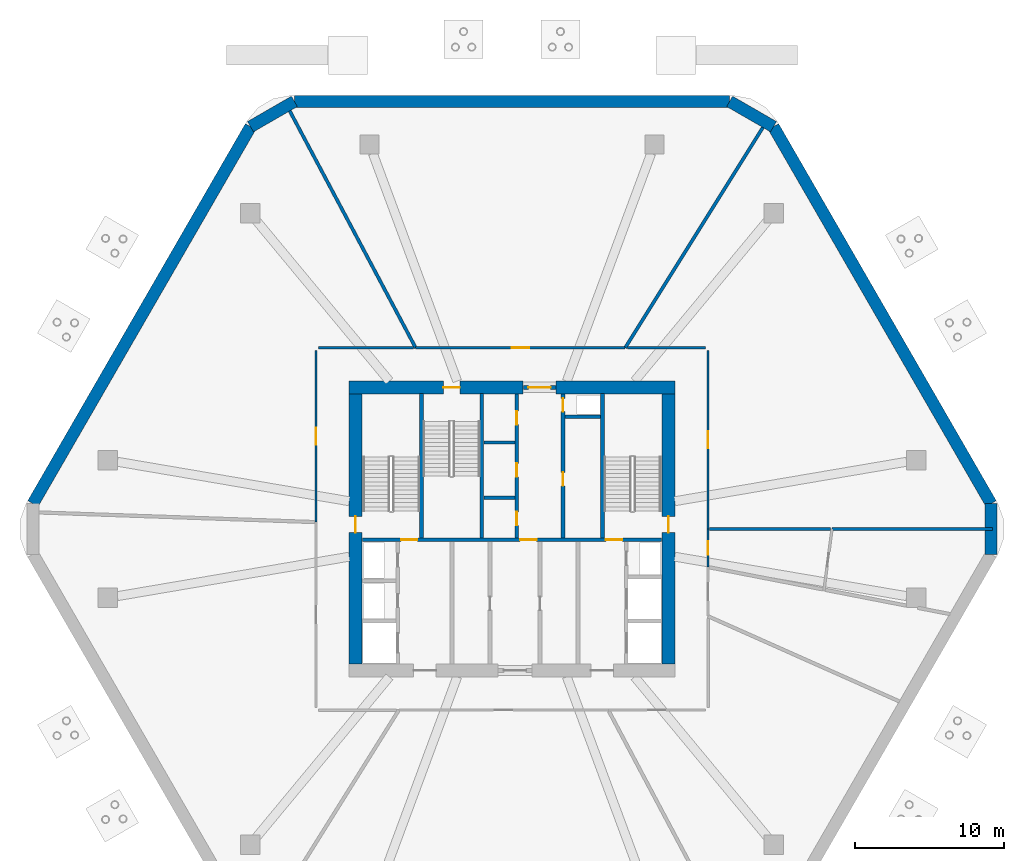
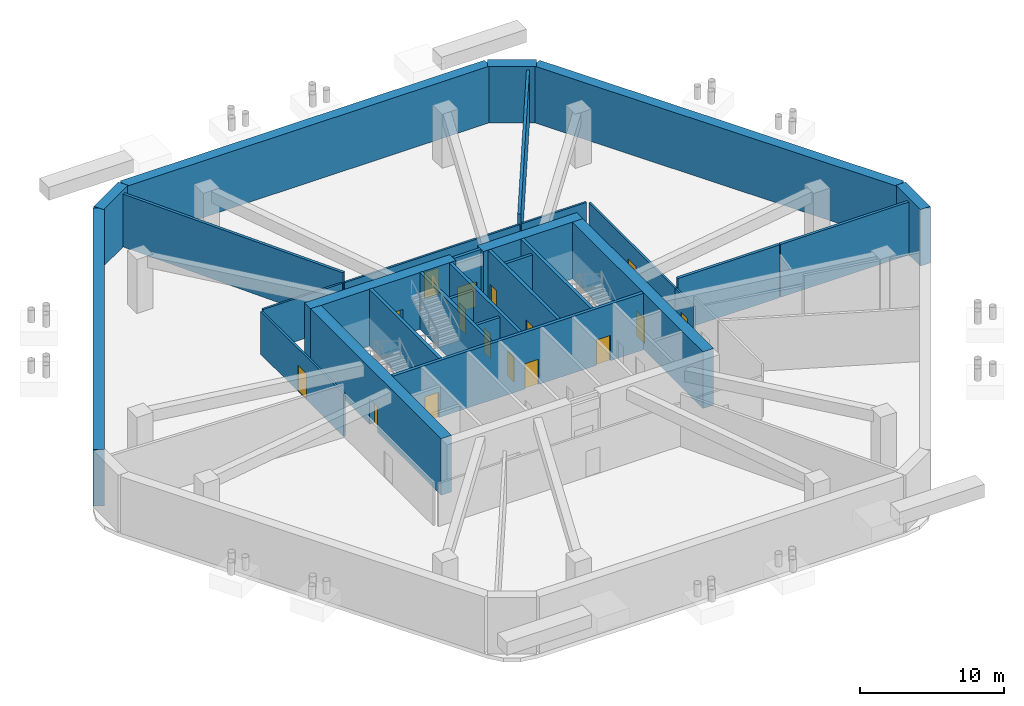
# One storey, part 8 of 10: 30 walls, 16 doors, 16 openings.
"""IFC4 building model written with IfcOpenShell, lengths in metres."""

from ifc_helpers import new_model, si_unit, direction, frame, frame_2d, origin, place, context, subcontext, project, spatial, rectangle, extrude, material, layer, layer_set, type_object, element, fill, save


model = new_model("IFC4")

# Units and contexts
model_context = context("Model", 3, precision=1e-05, world=origin(), true_north=direction((0.0, 1.0)))
body_context = subcontext(model_context, "Body", "Model", "MODEL_VIEW")
ifc_project = project(units=[si_unit("LENGTHUNIT", "METRE"), si_unit("AREAUNIT", "SQUARE_METRE"), si_unit("VOLUMEUNIT", "CUBIC_METRE"), si_unit("PLANEANGLEUNIT", "RADIAN"), si_unit("MASSUNIT", "GRAM", prefix="KILO")], contexts=[model_context])

# Site, building, storey
site_placement = place(None, origin())
site = spatial("IfcSite", under=ifc_project, at=site_placement, CompositionType="ELEMENT")
building_placement = place(site_placement, origin())
building = spatial("IfcBuilding", under=site, at=building_placement, Name="Zuhravey Tower", CompositionType="ELEMENT")
storey_placement = place(building_placement, frame((0.0, 0.0, -4.800048828125)))
storey = spatial("IfcBuildingStorey", under=building, at=storey_placement, Name="B01", CompositionType="ELEMENT", Elevation=-4.800048828125)

# Walls
ifc_material_1 = material(Name="Concrete C50/60", Category="concrete")
ifc_layer_1 = layer(ifc_material_1, 0.800048828125)
ifc_layer_set_1 = layer_set([ifc_layer_1], Name="Concrete C50/60")
wall_type_1 = type_object("IfcWallType", Name="Basement Retaining Wall 800", PredefinedType="USERDEFINED", material=ifc_layer_set_1)
wall_1_placement = place(storey_placement, frame((68.156494140625, 30.300048828125, 0.0), z_axis=(0.0, 0.0, 1.0), x_axis=(0.0, 1.0, 0.0)))
element("IfcWall", 1, at=wall_1_placement, inside=storey, type_object=wall_type_1, Name="B01 Retaining Wall RW80-01", ObjectType="RETAININGWALL", PredefinedType="USERDEFINED", context=body_context, shape_type="SweptSolid", body=[
    extrude(rectangle(XDim=3.39990234375, YDim=0.800048828125, at=frame_2d((1.699951171875, 0.0))), origin(), (0.0, 0.0, 1.0), 4.800048828125),
])
wall_2_placement = place(storey_placement, frame((68.156494140625, 33.699951171875, 0.0), z_axis=(0.0, 0.0, 1.0), x_axis=(-0.499995192696, 0.866028179265, 0.0)))
element("IfcWall", 2, at=wall_2_placement, inside=storey, type_object=wall_type_1, Name="B01 Retaining Wall RW80-02", ObjectType="RETAININGWALL", PredefinedType="USERDEFINED", context=body_context, shape_type="SweptSolid", body=[
    extrude(rectangle(XDim=29.212158203125, YDim=0.800048828125, at=frame_2d((14.60595703125, 0.0))), origin(), (0.0, 0.0, 1.0), 4.800048828125),
])
wall_3_placement = place(storey_placement, frame((53.550537109375, 58.99853515625, 0.0), z_axis=(0.0, 0.0, 1.0), x_axis=(-0.866020560687, 0.500008388397, 0.0)))
element("IfcWall", 3, at=wall_3_placement, inside=storey, type_object=wall_type_1, Name="B01 Retaining Wall RW80-03", ObjectType="RETAININGWALL", PredefinedType="USERDEFINED", context=body_context, shape_type="SweptSolid", body=[
    extrude(rectangle(XDim=3.39990234375, YDim=0.800048828125, at=frame_2d((1.699951171875, 0.0))), origin(), (0.0, 0.0, 1.0), 4.800048828125),
])
wall_4_placement = place(storey_placement, frame((50.606201171875, 60.698486328125, 0.0), z_axis=(0.0, 0.0, 1.0), x_axis=(-1.0, 0.0, 0.0)))
element("IfcWall", 4, at=wall_4_placement, inside=storey, type_object=wall_type_1, Name="B01 Retaining Wall RW80-04", ObjectType="RETAININGWALL", PredefinedType="USERDEFINED", context=body_context, shape_type="SweptSolid", body=[
    extrude(rectangle(XDim=29.21240234375, YDim=0.800048828125, at=frame_2d((14.606201171875, 0.0))), origin(), (0.0, 0.0, 1.0), 4.800048828125),
])
wall_5_placement = place(storey_placement, frame((21.393798828125, 60.698486328125, 0.0), z_axis=(0.0, 0.0, 1.0), x_axis=(-0.866020560687, -0.500008388397, 0.0)))
element("IfcWall", 5, at=wall_5_placement, inside=storey, type_object=wall_type_1, Name="B01 Retaining Wall RW80-05", ObjectType="RETAININGWALL", PredefinedType="USERDEFINED", context=body_context, shape_type="SweptSolid", body=[
    extrude(rectangle(XDim=3.39990234375, YDim=0.800048828125, at=frame_2d((1.699951171875, 0.0))), origin(), (0.0, 0.0, 1.0), 4.800048828125),
])
wall_6_placement = place(storey_placement, frame((18.449462890625, 58.99853515625, 0.0), z_axis=(0.0, 0.0, 1.0), x_axis=(-0.499995192696, -0.866028179265, 0.0)))
element("IfcWall", 6, at=wall_6_placement, inside=storey, type_object=wall_type_1, Name="B01 Retaining Wall RW80-06", ObjectType="RETAININGWALL", PredefinedType="USERDEFINED", context=body_context, shape_type="SweptSolid", body=[
    extrude(rectangle(XDim=29.212158203125, YDim=0.800048828125, at=frame_2d((14.60595703125, 0.0))), origin(), (0.0, 0.0, 1.0), 4.800048828125),
])
ifc_material_2 = material(Name="Concrete C60/75", Category="concrete")
ifc_layer_2 = layer(ifc_material_2, 0.85009765625)
ifc_layer_set_2 = layer_set([ifc_layer_2], Name="Concrete C60/75")
wall_type_2 = type_object("IfcWallType", Name="Core Shear Wall 850", PredefinedType="SHEAR", material=ifc_layer_set_2)
wall_7_placement = place(storey_placement, frame((46.925048828125, 41.5, 0.0), z_axis=(0.0, 0.0, 1.0), x_axis=(-1.0, 0.0, 0.0)))
element("IfcWall", 7, at=wall_7_placement, inside=storey, type_object=wall_type_2, Name="B01 North-East Core Shear Wall CW85", PredefinedType="SHEAR", context=body_context, shape_type="SweptSolid", body=[
    extrude(rectangle(XDim=7.97509765625, YDim=0.85009765625, at=frame_2d((3.987548828125, 0.0))), origin(), (0.0, 0.0, 1.0), 4.800048828125),
])

# Wall, opening, door
wall_8_placement = place(storey_placement, frame((36.75, 41.5, 0.0), z_axis=(0.0, 0.0, 1.0), x_axis=(-1.0, 0.0, 0.0)))
wall_8 = element("IfcWall", 8, at=wall_8_placement, inside=storey, type_object=wall_type_2, Name="B01 North-West Core Shear Wall CW85", PredefinedType="SHEAR", context=body_context, shape_type="SweptSolid", body=[
    extrude(rectangle(XDim=11.675048828125, YDim=0.85009765625, at=frame_2d((5.83740234375, 0.0))), origin(), (0.0, 0.0, 1.0), 4.800048828125),
])
opening_1_placement = place(wall_8_placement, frame((4.25, 0.0, 0.0)))
opening_1 = element("IfcOpeningElement", 9, at=opening_1_placement, cuts=wall_8, Name="Opening STD1", PredefinedType="OPENING", context=body_context, shape_type="SweptSolid", body=[
    extrude(rectangle(XDim=1.10009765625, YDim=2.14990234375, at=frame_2d((0.550048828125, 1.074951171875))), frame((0.0, 0.43701171875, 0.0), z_axis=(0.0, -1.0, 0.0), x_axis=(1.0, 0.0, 0.0)), (0.0, 0.0, 1.0), 0.8740234375),
])
ifc_material_3 = material(Name="Galvanised fire-rated steel leaf", Category="steel")
door_type_1 = type_object("IfcDoorType", Name="Protected Stair Fire Door 1100x2150", OperationType="NOTDEFINED", PredefinedType="USERDEFINED", material=ifc_material_3)
door_1_placement = place(opening_1_placement, origin())
door_1 = element("IfcDoor", 10, at=door_1_placement, inside=storey, type_object=door_type_1, Name="B01 Stair ST3 Door", ObjectType="EXITDOOR", OperationType="SINGLE_SWING_LEFT", OverallHeight=2.14990234375, OverallWidth=1.10009765625, PredefinedType="USERDEFINED", context=body_context, shape_type="SweptSolid", body=[
    extrude(rectangle(XDim=1.10009765625, YDim=2.14990234375, at=frame_2d((0.550048828125, 1.074951171875))), frame((0.0, 0.02490234375, 0.0), z_axis=(0.0, -1.0, 0.0), x_axis=(1.0, 0.0, 0.0)), (0.0, 0.0, 1.0), 0.050048828125),
])
fill(opening_1, door_1)

wall_9_placement = place(storey_placement, frame((25.5, 22.925048828125, 0.0), z_axis=(0.0, 0.0, 1.0), x_axis=(0.0, 1.0, 0.0)))
wall_9 = element("IfcWall", 11, at=wall_9_placement, inside=storey, type_object=wall_type_2, Name="B01 West Core Shear Wall CW85", PredefinedType="SHEAR", context=body_context, shape_type="SweptSolid", body=[
    extrude(rectangle(XDim=18.14990234375, YDim=0.85009765625, at=frame_2d((9.074951171875, 0.0))), origin(), (0.0, 0.0, 1.0), 4.800048828125),
])
opening_2_placement = place(wall_9_placement, frame((8.824951171875, 0.0, 0.0)))
opening_2 = element("IfcOpeningElement", 12, at=opening_2_placement, cuts=wall_9, Name="Opening STD1", PredefinedType="OPENING", context=body_context, shape_type="SweptSolid", body=[
    extrude(rectangle(XDim=1.10009765625, YDim=2.14990234375, at=frame_2d((0.550048828125, 1.074951171875))), frame((0.0, 0.43701171875, 0.0), z_axis=(0.0, -1.0, 0.0), x_axis=(1.0, 0.0, 0.0)), (0.0, 0.0, 1.0), 0.8740234375),
])
door_2_placement = place(opening_2_placement, frame((1.10009765625, 0.0, 0.0), z_axis=(0.0, 0.0, 1.0), x_axis=(-1.0, 0.0, 0.0)))
door_2 = element("IfcDoor", 13, at=door_2_placement, inside=storey, type_object=door_type_1, Name="B01 Stair ST1 Door", ObjectType="EXITDOOR", OperationType="SINGLE_SWING_LEFT", OverallHeight=2.14990234375, OverallWidth=1.10009765625, PredefinedType="USERDEFINED", context=body_context, shape_type="SweptSolid", body=[
    extrude(rectangle(XDim=1.10009765625, YDim=2.14990234375, at=frame_2d((0.550048828125, 1.074951171875))), frame((0.0, 0.02490234375, 0.0), z_axis=(0.0, -1.0, 0.0), x_axis=(1.0, 0.0, 0.0)), (0.0, 0.0, 1.0), 0.050048828125),
])
fill(opening_2, door_2)

wall_10_placement = place(storey_placement, frame((46.5, 22.925048828125, 0.0), z_axis=(0.0, 0.0, 1.0), x_axis=(0.0, 1.0, 0.0)))
wall_10 = element("IfcWall", 14, at=wall_10_placement, inside=storey, type_object=wall_type_2, Name="B01 East Core Shear Wall CW85", PredefinedType="SHEAR", context=body_context, shape_type="SweptSolid", body=[
    extrude(rectangle(XDim=18.14990234375, YDim=0.85009765625, at=frame_2d((9.074951171875, 0.0))), origin(), (0.0, 0.0, 1.0), 4.800048828125),
])
opening_3_placement = place(wall_10_placement, frame((8.824951171875, 0.0, 0.0)))
opening_3 = element("IfcOpeningElement", 15, at=opening_3_placement, cuts=wall_10, Name="Opening STD1", PredefinedType="OPENING", context=body_context, shape_type="SweptSolid", body=[
    extrude(rectangle(XDim=1.10009765625, YDim=2.14990234375, at=frame_2d((0.550048828125, 1.074951171875))), frame((0.0, 0.43701171875, 0.0), z_axis=(0.0, -1.0, 0.0), x_axis=(1.0, 0.0, 0.0)), (0.0, 0.0, 1.0), 0.8740234375),
])
door_3_placement = place(opening_3_placement, origin())
door_3 = element("IfcDoor", 16, at=door_3_placement, inside=storey, type_object=door_type_1, Name="B01 Stair ST2 Door", ObjectType="EXITDOOR", OperationType="SINGLE_SWING_RIGHT", OverallHeight=2.14990234375, OverallWidth=1.10009765625, PredefinedType="USERDEFINED", context=body_context, shape_type="SweptSolid", body=[
    extrude(rectangle(XDim=1.10009765625, YDim=2.14990234375, at=frame_2d((0.550048828125, 1.074951171875))), frame((0.0, 0.02490234375, 0.0), z_axis=(0.0, -1.0, 0.0), x_axis=(1.0, 0.0, 0.0)), (0.0, 0.0, 1.0), 0.050048828125),
])
fill(opening_3, door_3)

ifc_material_4 = material(Name="Gypsum fire-rated stud partition")
ifc_layer_3 = layer(ifc_material_4, 0.159912109375)
ifc_layer_set_3 = layer_set([ifc_layer_3], Name="Gypsum fire-rated stud partition")
wall_type_3 = type_object("IfcWallType", Name="Corridor Fire Partition 160", PredefinedType="PARTITIONING", material=ifc_layer_set_3)
wall_11_placement = place(storey_placement, frame((49.155029296875, 32.0, 0.0), z_axis=(0.0, 0.0, 1.0), x_axis=(0.0, 1.0, 0.0)))
wall_11 = element("IfcWall", 17, at=wall_11_placement, inside=storey, type_object=wall_type_3, Name="B01 IW16 Partition 019", PredefinedType="PARTITIONING", context=body_context, shape_type="SweptSolid", body=[
    extrude(rectangle(XDim=11.97509765625, YDim=0.159912109375, at=frame_2d((5.987548828125, 0.0))), origin(), (0.0, 0.0, 1.0), 3.630126953125),
])
opening_4_placement = place(wall_11_placement, frame((5.41259765625, 0.0, 0.0)))
opening_4 = element("IfcOpeningElement", 18, at=opening_4_placement, cuts=wall_11, Name="Opening CLD1", PredefinedType="OPENING", context=body_context, shape_type="SweptSolid", body=[
    extrude(rectangle(XDim=1.14990234375, YDim=2.199951171875, at=frame_2d((0.574951171875, 1.10009765625))), frame((0.0, 0.092041015625, 0.0), z_axis=(0.0, -1.0, 0.0), x_axis=(1.0, 0.0, 0.0)), (0.0, 0.0, 1.0), 0.183837890625),
])
ifc_material_5 = material(Name="Acoustic timber leaf with vision lite", Category="wood")
door_type_2 = type_object("IfcDoorType", Name="Classroom Acoustic Door 1150x2200", OperationType="NOTDEFINED", PredefinedType="DOOR", material=ifc_material_5)
door_4_placement = place(opening_4_placement, frame((1.14990234375, 0.0, 0.0), z_axis=(0.0, 0.0, 1.0), x_axis=(-1.0, 0.0, 0.0)))
door_4 = element("IfcDoor", 19, at=door_4_placement, inside=storey, type_object=door_type_2, Name="B01 Door 019.1", OperationType="SINGLE_SWING_LEFT", OverallHeight=2.199951171875, OverallWidth=1.14990234375, PredefinedType="DOOR", context=body_context, shape_type="SweptSolid", body=[
    extrude(rectangle(XDim=1.14990234375, YDim=2.199951171875, at=frame_2d((0.574951171875, 1.10009765625))), frame((0.0, 0.02490234375, 0.0), z_axis=(0.0, -1.0, 0.0), x_axis=(1.0, 0.0, 0.0)), (0.0, 0.0, 1.0), 0.050048828125),
])
fill(opening_4, door_4)

wall_12_placement = place(storey_placement, frame((43.59521484375, 44.155029296875, 0.0), z_axis=(0.0, 0.0, 1.0), x_axis=(-1.0, 0.0, 0.0)))
wall_12 = element("IfcWall", 20, at=wall_12_placement, inside=storey, type_object=wall_type_3, Name="B01 IW16 Partition 020", PredefinedType="PARTITIONING", context=body_context, shape_type="SweptSolid", body=[
    extrude(rectangle(XDim=14.05810546875, YDim=0.159912109375, at=frame_2d((7.029052734375, 0.0))), origin(), (0.0, 0.0, 1.0), 3.630126953125),
])
opening_5_placement = place(wall_12_placement, frame((6.4541015625, 0.0, 0.0)))
opening_5 = element("IfcOpeningElement", 21, at=opening_5_placement, cuts=wall_12, Name="Opening CLD1", PredefinedType="OPENING", context=body_context, shape_type="SweptSolid", body=[
    extrude(rectangle(XDim=1.14990234375, YDim=2.199951171875, at=frame_2d((0.574951171875, 1.10009765625))), frame((0.0, 0.092041015625, 0.0), z_axis=(0.0, -1.0, 0.0), x_axis=(1.0, 0.0, 0.0)), (0.0, 0.0, 1.0), 0.183837890625),
])
door_5_placement = place(opening_5_placement, frame((1.14990234375, 0.0, 0.0), z_axis=(0.0, 0.0, 1.0), x_axis=(-1.0, 0.0, 0.0)))
door_5 = element("IfcDoor", 22, at=door_5_placement, inside=storey, type_object=door_type_2, Name="B01 Door 020.1", OperationType="SINGLE_SWING_RIGHT", OverallHeight=2.199951171875, OverallWidth=1.14990234375, PredefinedType="DOOR", context=body_context, shape_type="SweptSolid", body=[
    extrude(rectangle(XDim=1.14990234375, YDim=2.199951171875, at=frame_2d((0.574951171875, 1.10009765625))), frame((0.0, 0.02490234375, 0.0), z_axis=(0.0, -1.0, 0.0), x_axis=(1.0, 0.0, 0.0)), (0.0, 0.0, 1.0), 0.050048828125),
])
fill(opening_5, door_5)

wall_13_placement = place(storey_placement, frame((22.844970703125, 43.97509765625, 0.0), z_axis=(0.0, 0.0, 1.0), x_axis=(0.0, -1.0, 0.0)))
wall_13 = element("IfcWall", 23, at=wall_13_placement, inside=storey, type_object=wall_type_3, Name="B01 IW16 Partition 021", PredefinedType="PARTITIONING", context=body_context, shape_type="SweptSolid", body=[
    extrude(rectangle(XDim=11.515625, YDim=0.159912109375, at=frame_2d((5.7578125, 0.0))), origin(), (0.0, 0.0, 1.0), 3.630126953125),
])
opening_6_placement = place(wall_13_placement, frame((5.182861328125, 0.0, 0.0)))
opening_6 = element("IfcOpeningElement", 24, at=opening_6_placement, cuts=wall_13, Name="Opening CLD1", PredefinedType="OPENING", context=body_context, shape_type="SweptSolid", body=[
    extrude(rectangle(XDim=1.14990234375, YDim=2.199951171875, at=frame_2d((0.574951171875, 1.10009765625))), frame((0.0, 0.092041015625, 0.0), z_axis=(0.0, -1.0, 0.0), x_axis=(1.0, 0.0, 0.0)), (0.0, 0.0, 1.0), 0.183837890625),
])
door_6_placement = place(opening_6_placement, frame((1.14990234375, 0.0, 0.0), z_axis=(0.0, 0.0, 1.0), x_axis=(-1.0, 0.0, 0.0)))
door_6 = element("IfcDoor", 25, at=door_6_placement, inside=storey, type_object=door_type_2, Name="B01 Door 021.1", OperationType="SINGLE_SWING_LEFT", OverallHeight=2.199951171875, OverallWidth=1.14990234375, PredefinedType="DOOR", context=body_context, shape_type="SweptSolid", body=[
    extrude(rectangle(XDim=1.14990234375, YDim=2.199951171875, at=frame_2d((0.574951171875, 1.10009765625))), frame((0.0, 0.02490234375, 0.0), z_axis=(0.0, -1.0, 0.0), x_axis=(1.0, 0.0, 0.0)), (0.0, 0.0, 1.0), 0.050048828125),
])
fill(opening_6, door_6)

wall_14_placement = place(storey_placement, frame((49.155029296875, 29.44287109375, 0.0), z_axis=(0.0, 0.0, 1.0), x_axis=(0.0, 1.0, 0.0)))
wall_14 = element("IfcWall", 26, at=wall_14_placement, inside=storey, type_object=wall_type_3, Name="B01 IW16 Partition 027", PredefinedType="PARTITIONING", context=body_context, shape_type="SweptSolid", body=[
    extrude(rectangle(XDim=2.55712890625, YDim=0.159912109375, at=frame_2d((1.278564453125, 0.0))), origin(), (0.0, 0.0, 1.0), 3.630126953125),
])
opening_7_placement = place(wall_14_placement, frame((0.82861328125, 0.0, 0.0)))
opening_7 = element("IfcOpeningElement", 27, at=opening_7_placement, cuts=wall_14, Name="Opening RSD1", PredefinedType="OPENING", context=body_context, shape_type="SweptSolid", body=[
    extrude(rectangle(XDim=0.89990234375, YDim=2.10009765625, at=frame_2d((0.449951171875, 1.050048828125))), frame((0.0, 0.092041015625, 0.0), z_axis=(0.0, -1.0, 0.0), x_axis=(1.0, 0.0, 0.0)), (0.0, 0.0, 1.0), 0.183837890625),
])
ifc_material_6 = material(Name="Galvanised fire-rated steel access leaf", Category="steel")
door_type_3 = type_object("IfcDoorType", Name="Riser & Shaft Access Fire Door 900x2100", OperationType="NOTDEFINED", PredefinedType="DOOR", material=ifc_material_6)
door_7_placement = place(opening_7_placement, frame((0.89990234375, 0.0, 0.0), z_axis=(0.0, 0.0, 1.0), x_axis=(-1.0, 0.0, 0.0)))
door_7 = element("IfcDoor", 28, at=door_7_placement, inside=storey, type_object=door_type_3, Name="B01 Door 027.1", OperationType="SINGLE_SWING_LEFT", OverallHeight=2.10009765625, OverallWidth=0.89990234375, PredefinedType="DOOR", context=body_context, shape_type="SweptSolid", body=[
    extrude(rectangle(XDim=0.89990234375, YDim=2.10009765625, at=frame_2d((0.449951171875, 1.050048828125))), frame((0.0, 0.02490234375, 0.0), z_axis=(0.0, -1.0, 0.0), x_axis=(1.0, 0.0, 0.0)), (0.0, 0.0, 1.0), 0.050048828125),
])
fill(opening_7, door_7)

# Walls
wall_15_placement = place(storey_placement, frame((48.97509765625, 44.175048828125, 0.0), z_axis=(0.0, 0.0, 1.0), x_axis=(-1.0, 0.0, 0.0)))
element("IfcWall", 29, at=wall_15_placement, inside=storey, type_object=wall_type_3, Name="B01 IW16 Partition 042", PredefinedType="PARTITIONING", context=body_context, shape_type="SweptSolid", body=[
    extrude(rectangle(XDim=5.228271484375, YDim=0.159912109375, at=frame_2d((2.6142578125, 0.0))), origin(), (0.0, 0.0, 1.0), 3.630126953125),
])
wall_16_placement = place(storey_placement, frame((29.392822265625, 44.175048828125, 0.0), z_axis=(0.0, 0.0, 1.0), x_axis=(-1.0, 0.0, 0.0)))
element("IfcWall", 30, at=wall_16_placement, inside=storey, type_object=wall_type_3, Name="B01 IW16 Partition 043", PredefinedType="PARTITIONING", context=body_context, shape_type="SweptSolid", body=[
    extrude(rectangle(XDim=6.367919921875, YDim=0.159912109375, at=frame_2d((3.18408203125, 0.0))), origin(), (0.0, 0.0, 1.0), 3.630126953125),
])

# Wall, opening, door
ifc_layer_4 = layer(ifc_material_1, 0.25)
ifc_layer_set_4 = layer_set([ifc_layer_4], Name="Concrete C50/60")
wall_type_4 = type_object("IfcWallType", Name="Firefighting Shaft & Stair Wall 250", PredefinedType="SOLIDWALL", material=ifc_layer_set_4)
wall_17_placement = place(storey_placement, frame((36.760009765625, 41.5, 0.0), z_axis=(0.0, 0.0, 1.0), x_axis=(1.0, 0.0, 0.0)))
wall_17 = element("IfcWall", 31, at=wall_17_placement, inside=storey, type_object=wall_type_4, Name="B01 FW25 Shaft Wall 002", PredefinedType="SOLIDWALL", context=body_context, shape_type="SweptSolid", body=[
    extrude(rectangle(XDim=2.179931640625, YDim=0.25, at=frame_2d((1.08984375, 0.0))), origin(), (0.0, 0.0, 1.0), 4.800048828125),
])
opening_8_placement = place(wall_17_placement, frame((0.340087890625, 0.0, 0.0)))
opening_8 = element("IfcOpeningElement", 32, at=opening_8_placement, cuts=wall_17, Name="Opening FFD1", PredefinedType="OPENING", context=body_context, shape_type="SweptSolid", body=[
    extrude(rectangle(XDim=1.5, YDim=2.14990234375, at=frame_2d((0.75, 1.074951171875))), frame((0.0, 0.136962890625, 0.0), z_axis=(0.0, -1.0, 0.0), x_axis=(1.0, 0.0, 0.0)), (0.0, 0.0, 1.0), 0.27392578125),
])
door_type_4 = type_object("IfcDoorType", Name="Firefighting Lobby Double Door 1500x2150", OperationType="DOUBLE_DOOR_SINGLE_SWING", PredefinedType="DOOR", material=ifc_material_3)
door_8_placement = place(opening_8_placement, origin())
door_8 = element("IfcDoor", 33, at=door_8_placement, inside=storey, type_object=door_type_4, Name="B01 North Lift Lobby Exit Door", OperationType="DOUBLE_DOOR_SINGLE_SWING", OverallHeight=2.14990234375, OverallWidth=1.5, PredefinedType="DOOR", context=body_context, shape_type="SweptSolid", body=[
    extrude(rectangle(XDim=1.5, YDim=2.14990234375, at=frame_2d((0.75, 1.074951171875))), frame((0.0, 0.02490234375, 0.0), z_axis=(0.0, -1.0, 0.0), x_axis=(1.0, 0.0, 0.0)), (0.0, 0.0, 1.0), 0.050048828125),
])
fill(opening_8, door_8)

# Wall, openings, doors
wall_18_placement = place(storey_placement, frame((25.949951171875, 31.27490234375, 0.0), z_axis=(0.0, 0.0, 1.0), x_axis=(1.0, 0.0, 0.0)))
wall_18 = element("IfcWall", 34, at=wall_18_placement, inside=storey, type_object=wall_type_4, Name="B01 FW25 Shaft Wall 003", PredefinedType="SOLIDWALL", context=body_context, shape_type="SweptSolid", body=[
    extrude(rectangle(XDim=20.10009765625, YDim=0.25, at=frame_2d((10.050048828125, 0.0))), origin(), (0.0, 0.0, 1.0), 4.800048828125),
])
opening_9_placement = place(wall_18_placement, frame((2.60009765625, 0.0, 0.0)))
opening_9 = element("IfcOpeningElement", 35, at=opening_9_placement, cuts=wall_18, Name="Opening STD1", PredefinedType="OPENING", context=body_context, shape_type="SweptSolid", body=[
    extrude(rectangle(XDim=1.10009765625, YDim=2.14990234375, at=frame_2d((0.550048828125, 1.074951171875))), frame((0.0, 0.136962890625, 0.0), z_axis=(0.0, -1.0, 0.0), x_axis=(1.0, 0.0, 0.0)), (0.0, 0.0, 1.0), 0.27392578125),
])
opening_10_placement = place(wall_18_placement, frame((10.60009765625, 0.0, 0.0)))
opening_10 = element("IfcOpeningElement", 36, at=opening_10_placement, cuts=wall_18, Name="Opening STD1", PredefinedType="OPENING", context=body_context, shape_type="SweptSolid", body=[
    extrude(rectangle(XDim=1.10009765625, YDim=2.14990234375, at=frame_2d((0.550048828125, 1.074951171875))), frame((0.0, 0.136962890625, 0.0), z_axis=(0.0, -1.0, 0.0), x_axis=(1.0, 0.0, 0.0)), (0.0, 0.0, 1.0), 0.27392578125),
])
opening_11_placement = place(wall_18_placement, frame((16.35009765625, 0.0, 0.0)))
opening_11 = element("IfcOpeningElement", 37, at=opening_11_placement, cuts=wall_18, Name="Opening STD1", PredefinedType="OPENING", context=body_context, shape_type="SweptSolid", body=[
    extrude(rectangle(XDim=1.10009765625, YDim=2.14990234375, at=frame_2d((0.550048828125, 1.074951171875))), frame((0.0, 0.136962890625, 0.0), z_axis=(0.0, -1.0, 0.0), x_axis=(1.0, 0.0, 0.0)), (0.0, 0.0, 1.0), 0.27392578125),
])
door_9_placement = place(opening_9_placement, origin())
door_9 = element("IfcDoor", 38, at=door_9_placement, inside=storey, type_object=door_type_1, Name="B01 FFL-W to ST1 Door", ObjectType="EXITDOOR", OperationType="SINGLE_SWING_RIGHT", OverallHeight=2.14990234375, OverallWidth=1.10009765625, PredefinedType="USERDEFINED", context=body_context, shape_type="SweptSolid", body=[
    extrude(rectangle(XDim=1.10009765625, YDim=2.14990234375, at=frame_2d((0.550048828125, 1.074951171875))), frame((0.0, 0.02490234375, 0.0), z_axis=(0.0, -1.0, 0.0), x_axis=(1.0, 0.0, 0.0)), (0.0, 0.0, 1.0), 0.050048828125),
])
fill(opening_9, door_9)
door_10_placement = place(opening_10_placement, origin())
door_10 = element("IfcDoor", 39, at=door_10_placement, inside=storey, type_object=door_type_1, Name="B01 Core Lobby Link Door", ObjectType="EXITDOOR", OperationType="SINGLE_SWING_LEFT", OverallHeight=2.14990234375, OverallWidth=1.10009765625, PredefinedType="USERDEFINED", context=body_context, shape_type="SweptSolid", body=[
    extrude(rectangle(XDim=1.10009765625, YDim=2.14990234375, at=frame_2d((0.550048828125, 1.074951171875))), frame((0.0, 0.02490234375, 0.0), z_axis=(0.0, -1.0, 0.0), x_axis=(1.0, 0.0, 0.0)), (0.0, 0.0, 1.0), 0.050048828125),
])
fill(opening_10, door_10)
door_11_placement = place(opening_11_placement, origin())
door_11 = element("IfcDoor", 40, at=door_11_placement, inside=storey, type_object=door_type_1, Name="B01 FFL-E to ST2 Door", ObjectType="EXITDOOR", OperationType="SINGLE_SWING_RIGHT", OverallHeight=2.14990234375, OverallWidth=1.10009765625, PredefinedType="USERDEFINED", context=body_context, shape_type="SweptSolid", body=[
    extrude(rectangle(XDim=1.10009765625, YDim=2.14990234375, at=frame_2d((0.550048828125, 1.074951171875))), frame((0.0, 0.02490234375, 0.0), z_axis=(0.0, -1.0, 0.0), x_axis=(1.0, 0.0, 0.0)), (0.0, 0.0, 1.0), 0.050048828125),
])
fill(opening_11, door_11)

# Walls
for number, where, z_axis, x_axis, name in (
    (41, (29.925048828125, 31.39990234375, 0.0), (0.0, 0.0, 1.0), (0.0, 1.0, 0.0), "B01 FW25 Shaft Wall 004"),
    (42, (33.97509765625, 31.39990234375, 0.0), (0.0, 0.0, 1.0), (0.0, 1.0, 0.0), "B01 FW25 Shaft Wall 005"),
    (43, (42.074951171875, 31.39990234375, 0.0), (0.0, 0.0, 1.0), (0.0, 1.0, 0.0), "B01 FW25 Shaft Wall 006"),
):
    element("IfcWall", number, at=place(storey_placement, frame(where, z_axis=z_axis, x_axis=x_axis)), inside=storey, type_object=wall_type_4, Name=name, PredefinedType="SOLIDWALL", context=body_context, shape_type="SweptSolid", body=[
        extrude(rectangle(XDim=9.7001953125, YDim=0.25, at=frame_2d((4.85009765625, 0.0))), origin(), (0.0, 0.0, 1.0), 4.800048828125),
    ])

# Wall, openings, doors
wall_19_placement = place(storey_placement, frame((36.324951171875, 31.39990234375, 0.0), z_axis=(0.0, 0.0, 1.0), x_axis=(0.0, 1.0, 0.0)))
wall_19 = element("IfcWall", 44, at=wall_19_placement, inside=storey, type_object=wall_type_4, Name="B01 FW25 Shaft Wall 007", PredefinedType="SOLIDWALL", context=body_context, shape_type="SweptSolid", body=[
    extrude(rectangle(XDim=9.650146484375, YDim=0.25, at=frame_2d((4.8251953125, 0.0))), origin(), (0.0, 0.0, 1.0), 4.800048828125),
])
opening_12_placement = place(wall_19_placement, frame((0.840087890625, 0.0, 0.0)))
opening_12 = element("IfcOpeningElement", 45, at=opening_12_placement, cuts=wall_19, Name="Opening RSD1", PredefinedType="OPENING", context=body_context, shape_type="SweptSolid", body=[
    extrude(rectangle(XDim=0.89990234375, YDim=2.10009765625, at=frame_2d((0.449951171875, 1.050048828125))), frame((0.0, 0.136962890625, 0.0), z_axis=(0.0, -1.0, 0.0), x_axis=(1.0, 0.0, 0.0)), (0.0, 0.0, 1.0), 0.27392578125),
])
opening_13_placement = place(wall_19_placement, frame((4.10009765625, 0.0, 0.0)))
opening_13 = element("IfcOpeningElement", 46, at=opening_13_placement, cuts=wall_19, Name="Opening RSD1", PredefinedType="OPENING", context=body_context, shape_type="SweptSolid", body=[
    extrude(rectangle(XDim=0.89990234375, YDim=2.10009765625, at=frame_2d((0.449951171875, 1.050048828125))), frame((0.0, 0.136962890625, 0.0), z_axis=(0.0, -1.0, 0.0), x_axis=(1.0, 0.0, 0.0)), (0.0, 0.0, 1.0), 0.27392578125),
])
opening_14_placement = place(wall_19_placement, frame((7.610107421875, 0.0, 0.0)))
opening_14 = element("IfcOpeningElement", 47, at=opening_14_placement, cuts=wall_19, Name="Opening RSD1", PredefinedType="OPENING", context=body_context, shape_type="SweptSolid", body=[
    extrude(rectangle(XDim=0.89990234375, YDim=2.10009765625, at=frame_2d((0.449951171875, 1.050048828125))), frame((0.0, 0.136962890625, 0.0), z_axis=(0.0, -1.0, 0.0), x_axis=(1.0, 0.0, 0.0)), (0.0, 0.0, 1.0), 0.27392578125),
])
door_12_placement = place(opening_12_placement, origin())
door_12 = element("IfcDoor", 48, at=door_12_placement, inside=storey, type_object=door_type_3, Name="B01 Core Staff WC Door", OperationType="SINGLE_SWING_LEFT", OverallHeight=2.10009765625, OverallWidth=0.89990234375, PredefinedType="DOOR", context=body_context, shape_type="SweptSolid", body=[
    extrude(rectangle(XDim=0.89990234375, YDim=2.10009765625, at=frame_2d((0.449951171875, 1.050048828125))), frame((0.0, 0.02490234375, 0.0), z_axis=(0.0, -1.0, 0.0), x_axis=(1.0, 0.0, 0.0)), (0.0, 0.0, 1.0), 0.050048828125),
])
fill(opening_12, door_12)
door_13_placement = place(opening_13_placement, origin())
door_13 = element("IfcDoor", 49, at=door_13_placement, inside=storey, type_object=door_type_3, Name="B01 IT and Comms Room Door", OperationType="SINGLE_SWING_RIGHT", OverallHeight=2.10009765625, OverallWidth=0.89990234375, PredefinedType="DOOR", context=body_context, shape_type="SweptSolid", body=[
    extrude(rectangle(XDim=0.89990234375, YDim=2.10009765625, at=frame_2d((0.449951171875, 1.050048828125))), frame((0.0, 0.02490234375, 0.0), z_axis=(0.0, -1.0, 0.0), x_axis=(1.0, 0.0, 0.0)), (0.0, 0.0, 1.0), 0.050048828125),
])
fill(opening_13, door_13)
door_14_placement = place(opening_14_placement, origin())
door_14 = element("IfcDoor", 50, at=door_14_placement, inside=storey, type_object=door_type_3, Name="B01 Janitor Linen Store Door", OperationType="SINGLE_SWING_LEFT", OverallHeight=2.10009765625, OverallWidth=0.89990234375, PredefinedType="DOOR", context=body_context, shape_type="SweptSolid", body=[
    extrude(rectangle(XDim=0.89990234375, YDim=2.10009765625, at=frame_2d((0.449951171875, 1.050048828125))), frame((0.0, 0.02490234375, 0.0), z_axis=(0.0, -1.0, 0.0), x_axis=(1.0, 0.0, 0.0)), (0.0, 0.0, 1.0), 0.050048828125),
])
fill(opening_14, door_14)

wall_20_placement = place(storey_placement, frame((39.425048828125, 31.39990234375, 0.0), z_axis=(0.0, 0.0, 1.0), x_axis=(0.0, 1.0, 0.0)))
wall_20 = element("IfcWall", 51, at=wall_20_placement, inside=storey, type_object=wall_type_4, Name="B01 FW25 Shaft Wall 008", PredefinedType="SOLIDWALL", context=body_context, shape_type="SweptSolid", body=[
    extrude(rectangle(XDim=9.650146484375, YDim=0.25, at=frame_2d((4.8251953125, 0.0))), origin(), (0.0, 0.0, 1.0), 4.800048828125),
])
opening_15_placement = place(wall_20_placement, frame((3.5, 0.0, 0.0)))
opening_15 = element("IfcOpeningElement", 52, at=opening_15_placement, cuts=wall_20, Name="Opening RSD1", PredefinedType="OPENING", context=body_context, shape_type="SweptSolid", body=[
    extrude(rectangle(XDim=0.89990234375, YDim=2.10009765625, at=frame_2d((0.449951171875, 1.050048828125))), frame((0.0, 0.136962890625, 0.0), z_axis=(0.0, -1.0, 0.0), x_axis=(1.0, 0.0, 0.0)), (0.0, 0.0, 1.0), 0.27392578125),
])
opening_16_placement = place(wall_20_placement, frame((8.469970703125, 0.0, 0.0)))
opening_16 = element("IfcOpeningElement", 53, at=opening_16_placement, cuts=wall_20, Name="Opening RSD1", PredefinedType="OPENING", context=body_context, shape_type="SweptSolid", body=[
    extrude(rectangle(XDim=0.89990234375, YDim=2.10009765625, at=frame_2d((0.449951171875, 1.050048828125))), frame((0.0, 0.136962890625, 0.0), z_axis=(0.0, -1.0, 0.0), x_axis=(1.0, 0.0, 0.0)), (0.0, 0.0, 1.0), 0.27392578125),
])
door_15_placement = place(opening_15_placement, frame((0.89990234375, 0.0, 0.0), z_axis=(0.0, 0.0, 1.0), x_axis=(-1.0, 0.0, 0.0)))
door_15 = element("IfcDoor", 54, at=door_15_placement, inside=storey, type_object=door_type_3, Name="B01 Core Equipment Door", OperationType="SINGLE_SWING_RIGHT", OverallHeight=2.10009765625, OverallWidth=0.89990234375, PredefinedType="DOOR", context=body_context, shape_type="SweptSolid", body=[
    extrude(rectangle(XDim=0.89990234375, YDim=2.10009765625, at=frame_2d((0.449951171875, 1.050048828125))), frame((0.0, 0.02490234375, 0.0), z_axis=(0.0, -1.0, 0.0), x_axis=(1.0, 0.0, 0.0)), (0.0, 0.0, 1.0), 0.050048828125),
])
fill(opening_15, door_15)
door_16_placement = place(opening_16_placement, origin())
door_16 = element("IfcDoor", 55, at=door_16_placement, inside=storey, type_object=door_type_3, Name="B01 North Riser Door", OperationType="SINGLE_SWING_LEFT", OverallHeight=2.10009765625, OverallWidth=0.89990234375, PredefinedType="DOOR", context=body_context, shape_type="SweptSolid", body=[
    extrude(rectangle(XDim=0.89990234375, YDim=2.10009765625, at=frame_2d((0.449951171875, 1.050048828125))), frame((0.0, 0.02490234375, 0.0), z_axis=(0.0, -1.0, 0.0), x_axis=(1.0, 0.0, 0.0)), (0.0, 0.0, 1.0), 0.050048828125),
])
fill(opening_16, door_16)

# Walls
ifc_material_7 = material(Name="Gypsum acoustic stud assembly")
ifc_layer_5 = layer(ifc_material_7, 0.219970703125)
ifc_layer_set_5 = layer_set([ifc_layer_5], Name="Gypsum acoustic stud assembly")
wall_type_5 = type_object("IfcWallType", Name="School Acoustic Compartment Wall 220", PredefinedType="PARTITIONING", material=ifc_layer_set_5)
for number, where, z_axis, x_axis, name in (
    (56, (34.10791015625, 34.10009765625, 0.0), (0.0, 0.0, 1.0), (1.0, 0.0, 0.0), "B01 IW22 Partition 028"),
    (57, (34.10791015625, 37.800048828125, 0.0), (0.0, 0.0, 1.0), (1.0, 0.0, 0.0), "B01 IW22 Partition 029"),
):
    element("IfcWall", number, at=place(storey_placement, frame(where, z_axis=z_axis, x_axis=x_axis)), inside=storey, type_object=wall_type_5, Name=name, PredefinedType="PARTITIONING", context=body_context, shape_type="SweptSolid", body=[
        extrude(rectangle(XDim=2.083984375, YDim=0.219970703125, at=frame_2d((1.0419921875, 0.0))), origin(), (0.0, 0.0, 1.0), 4.47998046875),
    ])
wall_21_placement = place(storey_placement, frame((39.55810546875, 39.52490234375, 0.0), z_axis=(0.0, 0.0, 1.0), x_axis=(1.0, 0.0, 0.0)))
element("IfcWall", 58, at=wall_21_placement, inside=storey, type_object=wall_type_5, Name="B01 IW22 Partition 030", PredefinedType="PARTITIONING", context=body_context, shape_type="SweptSolid", body=[
    extrude(rectangle(XDim=2.3837890625, YDim=0.219970703125, at=frame_2d((1.19189453125, 0.0))), origin(), (0.0, 0.0, 1.0), 4.47998046875),
])
wall_22_placement = place(storey_placement, frame((49.242919921875, 32.0, 0.0), z_axis=(0.0, 0.0, 1.0), x_axis=(1.0, 0.0, 0.0)))
element("IfcWall", 59, at=wall_22_placement, inside=storey, type_object=wall_type_5, Name="B01 IW22 Partition 031", PredefinedType="PARTITIONING", context=body_context, shape_type="SweptSolid", body=[
    extrude(rectangle(XDim=8.148193359375, YDim=0.219970703125, at=frame_2d((4.07421875, 0.0))), origin(), (0.0, 0.0, 1.0), 4.47998046875),
])
wall_23_placement = place(storey_placement, frame((57.47998046875, 32.0, 0.0), z_axis=(0.0, 0.0, 1.0), x_axis=(1.0, 0.0, 0.0)))
element("IfcWall", 60, at=wall_23_placement, inside=storey, type_object=wall_type_5, Name="B01 IW22 Partition 032", PredefinedType="PARTITIONING", context=body_context, shape_type="SweptSolid", body=[
    extrude(rectangle(XDim=10.762451171875, YDim=0.219970703125, at=frame_2d((5.38134765625, 0.0))), origin(), (0.0, 0.0, 1.0), 4.47998046875),
])
wall_24_placement = place(storey_placement, frame((43.59521484375, 44.155029296875, 0.0), z_axis=(0.0, 0.0, 1.0), x_axis=(0.529922011636, 0.848046379383, 0.0)))
element("IfcWall", 61, at=wall_24_placement, inside=storey, type_object=wall_type_5, Name="B01 IW22 Partition 033", PredefinedType="PARTITIONING", context=body_context, shape_type="SweptSolid", body=[
    extrude(rectangle(XDim=17.687255859375, YDim=0.219970703125, at=frame_2d((8.84375, 0.0))), origin(), (0.0, 0.0, 1.0), 4.47998046875),
])
wall_25_placement = place(storey_placement, frame((29.537109375, 44.15478515625, 0.0), z_axis=(0.0, 0.0, 1.0), x_axis=(-0.469468123558, 0.88294942152, 0.0)))
element("IfcWall", 62, at=wall_25_placement, inside=storey, type_object=wall_type_5, Name="B01 IW22 Partition 034", PredefinedType="PARTITIONING", context=body_context, shape_type="SweptSolid", body=[
    extrude(rectangle(XDim=18.25390625, YDim=0.219970703125, at=frame_2d((9.126953125, 0.0))), origin(), (0.0, 0.0, 1.0), 4.47998046875),
])

save(model, "model.ifc")
